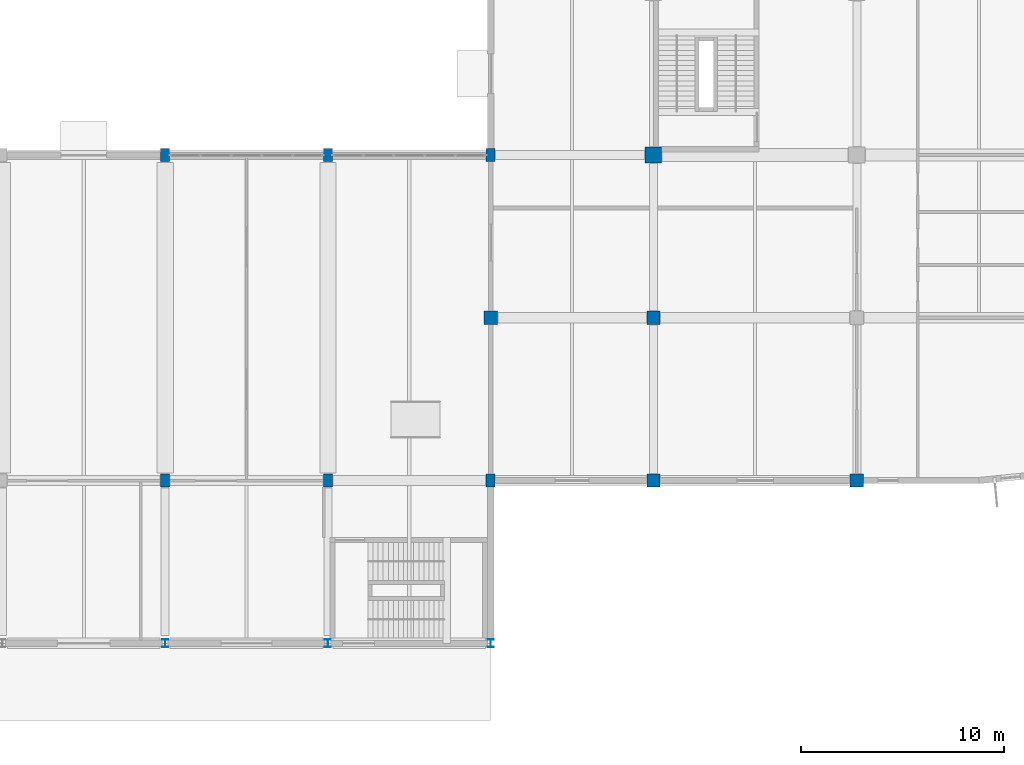
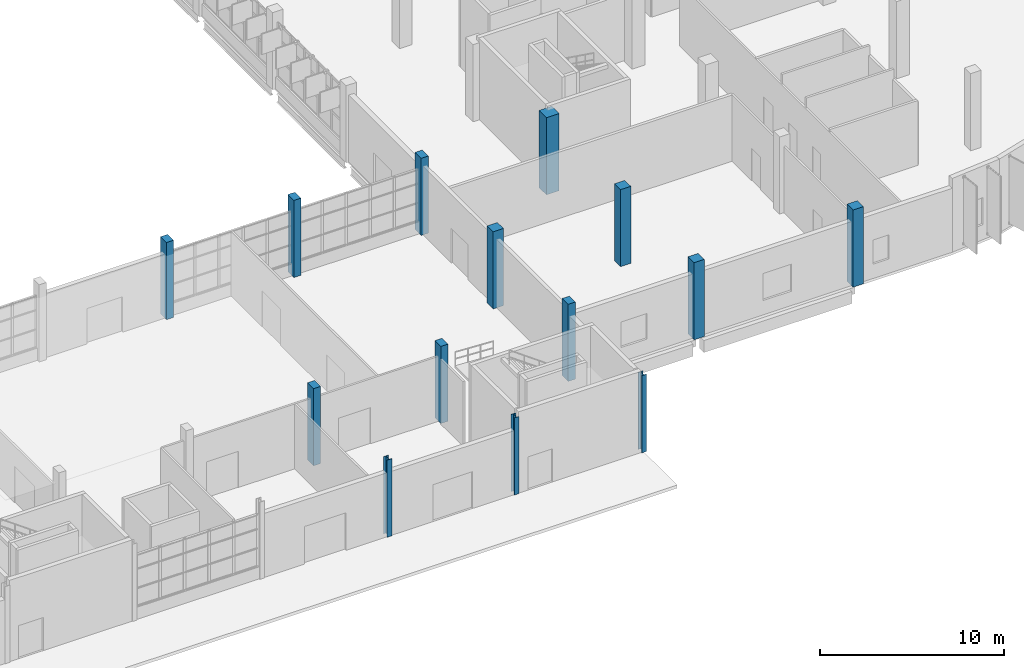
# One storey, part 9 of 103: 14 columns.
"""IFC4 building model written with IfcOpenShell, lengths in metres."""

from ifc_helpers import new_model, si_unit, direction, frame, origin, origin_2d, place, context, subcontext, project, spatial, rectangle, i_section, extrude, material, material_profile, profile_set, type_object, element, save


model = new_model("IFC4")

# Units and contexts
model_context = context("Model", 3, precision=1e-05, world=origin(), true_north=direction((0.0, 1.0)))
body_context = subcontext(model_context, "Body", "Model", "MODEL_VIEW")
ifc_project = project(units=[si_unit("LENGTHUNIT", "METRE"), si_unit("AREAUNIT", "SQUARE_METRE"), si_unit("VOLUMEUNIT", "CUBIC_METRE"), si_unit("PLANEANGLEUNIT", "RADIAN"), si_unit("MASSUNIT", "GRAM", prefix="KILO")], contexts=[model_context])

# Site, building, storey
site_placement = place(None, origin())
site = spatial("IfcSite", under=ifc_project, at=site_placement, CompositionType="ELEMENT")
building_placement = place(site_placement, origin())
building = spatial("IfcBuilding", under=site, at=building_placement, Name="Drelvana Railside Aquatics Centre", CompositionType="ELEMENT")
storey_placement = place(building_placement, origin())
storey = spatial("IfcBuildingStorey", under=building, at=storey_placement, Name="L00", CompositionType="ELEMENT", Elevation=0.0)

# Columns
ifc_material_1 = material(Name="Concrete C40/50", Category="concrete")
ifc_material_profile_1 = material_profile(ifc_material_1, rectangle(XDim=0.449951171875, YDim=0.64990234375, at=origin_2d()), Name="RC 450x650")
ifc_profile_set_1 = profile_set([ifc_material_profile_1], Name="Concrete C40/50")
column_type_1 = type_object("IfcColumnType", Name="STR-COL-RC-450x650", PredefinedType="COLUMN", material=ifc_profile_set_1)
for number, where, z_axis, x_axis, name in (
    (1, (128.0, 8.0, 0.0), (0.0, 0.0, 1.0), (1.0, 0.0, 0.0), "Column C-11 (L00)"),
    (2, (128.0, 24.0, 0.0), (0.0, 0.0, 1.0), (1.0, 0.0, 0.0), "Column C-11 (L00)"),
    (3, (136.0, 8.0, 0.0), (0.0, 0.0, 1.0), (1.0, 0.0, 0.0), "Column C-11 (L00)"),
    (4, (136.0, 24.0, 0.0), (0.0, 0.0, 1.0), (1.0, 0.0, 0.0), "Column C-11 (L00)"),
    (5, (144.0, 8.0, 0.0), (0.0, 0.0, 1.0), (1.0, 0.0, 0.0), "Column C-11 (L00)"),
    (6, (144.0, 24.0, 0.0), (0.0, 0.0, 1.0), (1.0, 0.0, 0.0), "Column C-11 (L00)"),
):
    element("IfcColumn", number, at=place(storey_placement, frame(where, z_axis=z_axis, x_axis=x_axis)), inside=storey, type_object=column_type_1, Name=name, PredefinedType="COLUMN", context=body_context, shape_type="SweptSolid", body=[
        extrude(rectangle(XDim=0.449951171875, YDim=0.64990234375, at=origin_2d()), origin(), (0.0, 0.0, 1.0), 5.125),
    ])
ifc_material_profile_2 = material_profile(ifc_material_1, rectangle(XDim=0.64990234375, YDim=0.64990234375, at=origin_2d()), Name="RC 650x650")
ifc_profile_set_2 = profile_set([ifc_material_profile_2], Name="Concrete C40/50")
column_type_2 = type_object("IfcColumnType", Name="STR-COL-RC-650x650", PredefinedType="COLUMN", material=ifc_profile_set_2)
for number, where, z_axis, x_axis, name in (
    (7, (144.0, 16.0, 0.0), (0.0, 0.0, 1.0), (1.0, 0.0, 0.0), "Column C-05 (L00)"),
    (8, (152.0, 8.0, 0.0), (0.0, 0.0, 1.0), (1.0, 0.0, 0.0), "Column C-05 (L00)"),
    (9, (162.0, 8.0, 0.0), (0.0, 0.0, 1.0), (1.0, 0.0, 0.0), "Column C-05 (L00)"),
    (10, (152.0, 16.0, 0.0), (0.0, 0.0, 1.0), (1.0, 0.0, 0.0), "Column C-05 (L00)"),
):
    element("IfcColumn", number, at=place(storey_placement, frame(where, z_axis=z_axis, x_axis=x_axis)), inside=storey, type_object=column_type_2, Name=name, PredefinedType="COLUMN", context=body_context, shape_type="SweptSolid", body=[
        extrude(rectangle(XDim=0.64990234375, YDim=0.64990234375, at=origin_2d()), origin(), (0.0, 0.0, 1.0), 5.125),
    ])
ifc_material_profile_3 = material_profile(ifc_material_1, rectangle(XDim=0.800048828125, YDim=0.800048828125, at=origin_2d()), Name="RC 800x800")
ifc_profile_set_3 = profile_set([ifc_material_profile_3], Name="Concrete C40/50")
column_type_3 = type_object("IfcColumnType", Name="STR-COL-RC-800x800", PredefinedType="COLUMN", material=ifc_profile_set_3)
column_placement = place(storey_placement, frame((152.0, 24.0, 0.0), z_axis=(0.0, 0.0, 1.0), x_axis=(1.0, 0.0, 0.0)))
element("IfcColumn", 11, at=column_placement, inside=storey, type_object=column_type_3, Name="Column C-08 (L00)", PredefinedType="COLUMN", context=body_context, shape_type="SweptSolid", body=[
    extrude(rectangle(XDim=0.800048828125, YDim=0.800048828125, at=origin_2d()), origin(), (0.0, 0.0, 1.0), 5.125),
])
ifc_material_2 = material(Name="Structural steel S355", Category="steel")
ifc_material_profile_4 = material_profile(ifc_material_2, i_section(OverallWidth=0.300048828125, OverallDepth=0.39990234375, WebThickness=0.013427734375, FlangeThickness=0.02392578125, at=origin_2d()), Name="HEB 400")
ifc_profile_set_4 = profile_set([ifc_material_profile_4], Name="Structural steel S355")
column_type_4 = type_object("IfcColumnType", Name="STR-SCOL-HEB-400", PredefinedType="COLUMN", material=ifc_profile_set_4)
for number, where, z_axis, x_axis, name in (
    (12, (128.0, 0.0, 0.0), (0.0, 0.0, 1.0), (1.0, 0.0, 0.0), "Column SC-03 (L00)"),
    (13, (136.0, 0.0, 0.0), (0.0, 0.0, 1.0), (1.0, 0.0, 0.0), "Column SC-03 (L00)"),
    (14, (144.0, 0.0, 0.0), (0.0, 0.0, 1.0), (1.0, 0.0, 0.0), "Column SC-03 (L00)"),
):
    element("IfcColumn", number, at=place(storey_placement, frame(where, z_axis=z_axis, x_axis=x_axis)), inside=storey, type_object=column_type_4, Name=name, PredefinedType="COLUMN", context=body_context, shape_type="SweptSolid", body=[
        extrude(i_section(OverallWidth=0.300048828125, OverallDepth=0.39990234375, WebThickness=0.013427734375, FlangeThickness=0.02392578125, at=origin_2d()), origin(), (0.0, 0.0, 1.0), 5.125),
    ])

save(model, "model.ifc")
